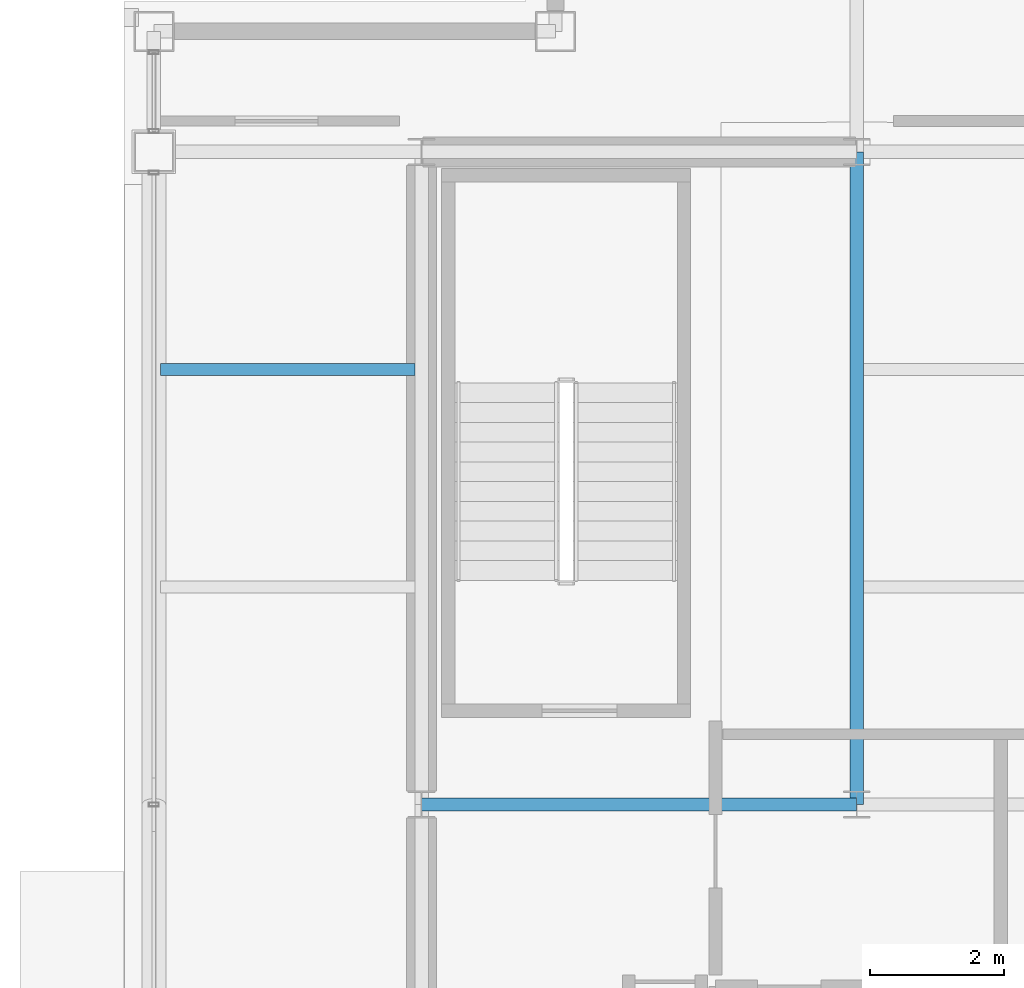
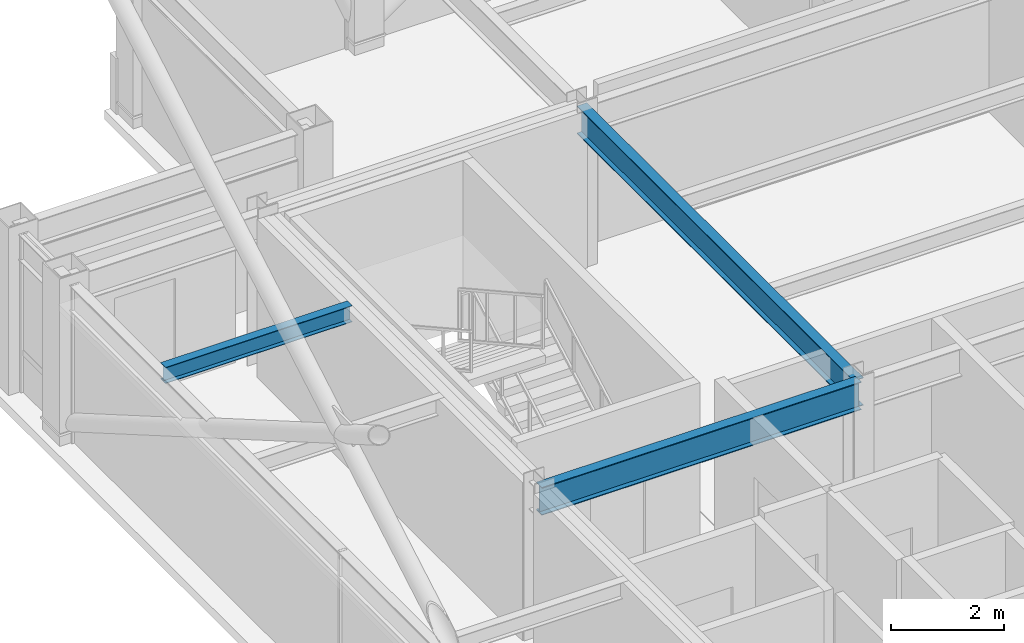
# One storey, part 9 of 24: 3 beams.
"""IFC4 building model written with IfcOpenShell, lengths in metres."""

from ifc_helpers import new_model, si_unit, direction, frame, origin, origin_2d, place, context, subcontext, project, spatial, i_section, extrude, material, material_profile, profile_set, type_object, element, save


model = new_model("IFC4")

# Units and contexts
model_context = context("Model", 3, precision=1e-05, world=origin(), true_north=direction((0.0, 1.0)))
body_context = subcontext(model_context, "Body", "Model", "MODEL_VIEW")
ifc_project = project(units=[si_unit("LENGTHUNIT", "METRE"), si_unit("AREAUNIT", "SQUARE_METRE"), si_unit("VOLUMEUNIT", "CUBIC_METRE"), si_unit("PLANEANGLEUNIT", "RADIAN"), si_unit("MASSUNIT", "GRAM", prefix="KILO")], contexts=[model_context])

# Site, building, storey
site_placement = place(None, origin())
site = spatial("IfcSite", under=ifc_project, at=site_placement, CompositionType="ELEMENT")
building_placement = place(site_placement, origin())
building = spatial("IfcBuilding", under=site, at=building_placement, Name="Brelmoor Portico Tower", CompositionType="ELEMENT")
storey_placement = place(building_placement, frame((0.0, 0.0, 268.800048828125)))
storey = spatial("IfcBuildingStorey", under=building, at=storey_placement, Name="L71", CompositionType="ELEMENT", Elevation=268.800048828125)

# Beams
ifc_material = material(Name="Steel Q355B", Category="steel")
ifc_material_profile_1 = material_profile(ifc_material, i_section(OverallWidth=0.175048828125, OverallDepth=0.35009765625, WebThickness=0.007080078125, FlangeThickness=0.010986328125, at=origin_2d()), Name="HN 350x175x7x11")
ifc_profile_set_1 = profile_set([ifc_material_profile_1], Name="Steel Q355B")
beam_type_1 = type_object("IfcBeamType", Name="BM-JS-350", PredefinedType="JOIST", material=ifc_profile_set_1)
beam_1_placement = place(storey_placement, frame((-18.449951171875, 6.5, 3.224853515625), z_axis=(1.0, 0.0, 0.0), x_axis=(0.0, 1.0, 0.0)))
element("IfcBeam", 1, at=beam_1_placement, inside=storey, type_object=beam_type_1, Name="L71 Secondary Wing Joist JS-W10", PredefinedType="JOIST", context=body_context, shape_type="SweptSolid", body=[
    extrude(i_section(OverallWidth=0.175048828125, OverallDepth=0.35009765625, WebThickness=0.007080078125, FlangeThickness=0.010986328125, at=origin_2d()), origin(), (0.0, 0.0, 1.0), 3.800048828125),
])
ifc_material_profile_2 = material_profile(ifc_material, i_section(OverallWidth=0.199951171875, OverallDepth=0.60009765625, WebThickness=0.010986328125, FlangeThickness=0.01708984375, at=origin_2d()), Name="HN 600x200x11x17")
ifc_profile_set_2 = profile_set([ifc_material_profile_2], Name="Steel Q355B")
beam_type_2 = type_object("IfcBeamType", Name="BM-PG-600", PredefinedType="BEAM", material=ifc_profile_set_2)
beam_2_placement = place(storey_placement, frame((-8.050048828125, 0.0, 3.099853515625), z_axis=(0.0, 1.0, 0.0), x_axis=(-1.0, 0.0, 0.0)))
element("IfcBeam", 2, at=beam_2_placement, inside=storey, type_object=beam_type_2, Name="L71 Primary Floor Girder PG-04", PredefinedType="BEAM", context=body_context, shape_type="SweptSolid", body=[
    extrude(i_section(OverallWidth=0.199951171875, OverallDepth=0.60009765625, WebThickness=0.010986328125, FlangeThickness=0.01708984375, at=origin_2d()), origin(), (0.0, 0.0, 1.0), 9.75),
])
beam_3_placement = place(storey_placement, frame((-14.550048828125, 0.0, 3.099853515625), z_axis=(1.0, 0.0, 0.0), x_axis=(0.0, 1.0, 0.0)))
element("IfcBeam", 3, at=beam_3_placement, inside=storey, type_object=beam_type_2, Name="L71 Primary Floor Girder PG-16", PredefinedType="BEAM", context=body_context, shape_type="SweptSolid", body=[
    extrude(i_section(OverallWidth=0.199951171875, OverallDepth=0.60009765625, WebThickness=0.010986328125, FlangeThickness=0.01708984375, at=origin_2d()), origin(), (0.0, 0.0, 1.0), 6.5),
])

save(model, "model.ifc")
